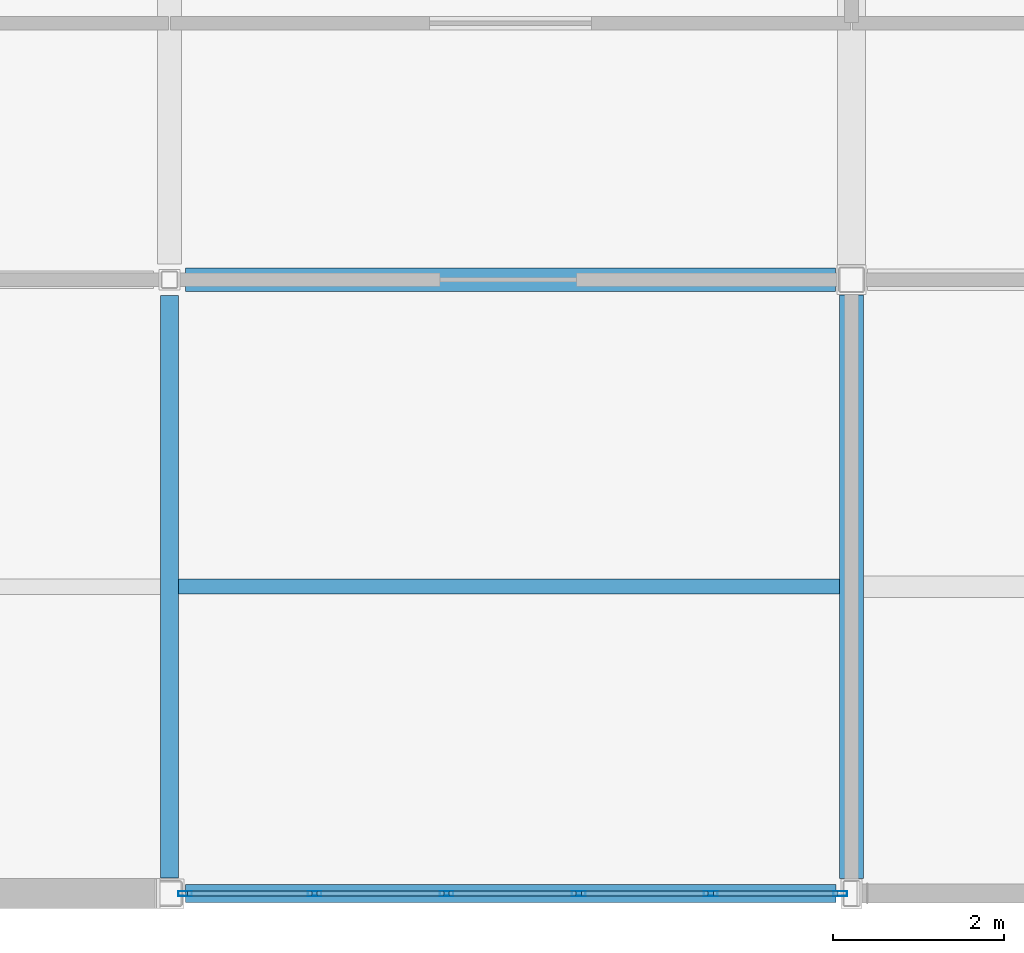
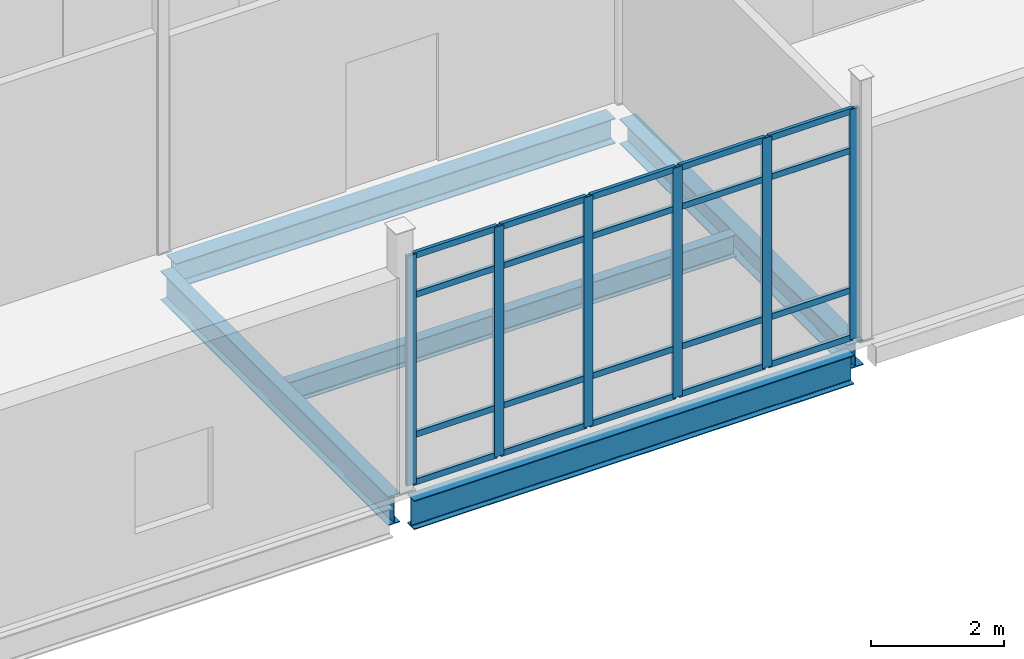
# One storey, part 53 of 186: 26 members, 5 beams, 1 element without a shape of its own.
"""IFC4 building model written with IfcOpenShell, lengths in metres."""

from ifc_helpers import new_model, si_unit, direction, frame, origin, origin_2d, place, context, subcontext, project, spatial, hollow_rectangle, i_section, extrude, material, layer, layer_set, material_profile, profile_set, type_object, element, aggregate, save


model = new_model("IFC4")

# Units and contexts
model_context = context("Model", 3, precision=1e-05, world=origin(), true_north=direction((0.0, 1.0)))
body_context = subcontext(model_context, "Body", "Model", "MODEL_VIEW")
ifc_project = project(units=[si_unit("LENGTHUNIT", "METRE"), si_unit("AREAUNIT", "SQUARE_METRE"), si_unit("VOLUMEUNIT", "CUBIC_METRE"), si_unit("PLANEANGLEUNIT", "RADIAN"), si_unit("MASSUNIT", "GRAM", prefix="KILO")], contexts=[model_context])

# Site, building, storey
site_placement = place(None, origin())
site = spatial("IfcSite", under=ifc_project, at=site_placement, CompositionType="ELEMENT")
building_placement = place(site_placement, origin())
building = spatial("IfcBuilding", under=site, at=building_placement, Name="Calvrana Isthmian Art Gallery", CompositionType="ELEMENT")
storey_placement = place(building_placement, frame((0.0, 0.0, 5.39990234375)))
storey = spatial("IfcBuildingStorey", under=building, at=storey_placement, Name="L01", CompositionType="ELEMENT", Elevation=5.39990234375)

# Beams
ifc_material_1 = material(Name="Steel ASTM A992 Gr 50", Category="steel")
ifc_material_profile_1 = material_profile(ifc_material_1, i_section(OverallWidth=0.279052734375, OverallDepth=0.4619140625, WebThickness=0.0107421875, FlangeThickness=0.017333984375, FilletRadius=0.02001953125, at=origin_2d()), Name="W18X76")
ifc_profile_set_1 = profile_set([ifc_material_profile_1], Name="Steel ASTM A992 Gr 50")
beam_type_1 = type_object("IfcBeamType", Name="BM-G-W18X76", PredefinedType="BEAM", material=ifc_profile_set_1)
beam_1_placement = place(storey_placement, frame((96.58642578125, 7.199951171875, -0.475830078125), z_axis=(1.0, 0.0, 0.0), x_axis=(0.0, 1.0, 0.0)))
element("IfcBeam", 1, at=beam_1_placement, inside=storey, type_object=beam_type_1, Name="Girder X L01 13-14/B", PredefinedType="BEAM", context=body_context, shape_type="SweptSolid", body=[
    extrude(i_section(OverallWidth=0.279052734375, OverallDepth=0.4619140625, WebThickness=0.0107421875, FlangeThickness=0.017333984375, FilletRadius=0.02001953125, at=origin_2d()), origin(), (0.0, 0.0, 1.0), 7.628173828125),
])
beam_2_placement = place(storey_placement, frame((104.39990234375, 0.177978515625, -0.475830078125), z_axis=(0.0, 1.0, 0.0), x_axis=(-1.0, 0.0, 0.0)))
element("IfcBeam", 2, at=beam_2_placement, inside=storey, type_object=beam_type_1, Name="Girder Y L01 14/A-B", PredefinedType="BEAM", context=body_context, shape_type="SweptSolid", body=[
    extrude(i_section(OverallWidth=0.279052734375, OverallDepth=0.4619140625, WebThickness=0.0107421875, FlangeThickness=0.017333984375, FilletRadius=0.02001953125, at=origin_2d()), origin(), (0.0, 0.0, 1.0), 6.840576171875),
])
ifc_material_profile_2 = material_profile(ifc_material_1, i_section(OverallWidth=0.208984375, OverallDepth=0.532958984375, WebThickness=0.01025390625, FlangeThickness=0.015625, FilletRadius=0.02099609375, at=origin_2d()), Name="W21X62")
ifc_profile_set_2 = profile_set([ifc_material_profile_2], Name="Steel ASTM A992 Gr 50")
beam_type_2 = type_object("IfcBeamType", Name="BM-G-W21X62", PredefinedType="BEAM", material=ifc_profile_set_2)
beam_3_placement = place(storey_placement, frame((96.58544921875, 0.0, -0.511474609375), z_axis=(1.0, 0.0, 0.0), x_axis=(0.0, 1.0, 0.0)))
element("IfcBeam", 3, at=beam_3_placement, inside=storey, type_object=beam_type_2, Name="Girder X L01 13-14/A", PredefinedType="BEAM", context=body_context, shape_type="SweptSolid", body=[
    extrude(i_section(OverallWidth=0.208984375, OverallDepth=0.532958984375, WebThickness=0.01025390625, FlangeThickness=0.015625, FilletRadius=0.02099609375, at=origin_2d()), origin(), (0.0, 0.0, 1.0), 7.630615234375),
])
beam_4_placement = place(storey_placement, frame((96.39990234375, 0.181396484375, -0.511474609375), z_axis=(0.0, 1.0, 0.0), x_axis=(-1.0, 0.0, 0.0)))
element("IfcBeam", 4, at=beam_4_placement, inside=storey, type_object=beam_type_2, Name="Girder Y L01 13/A-B", PredefinedType="BEAM", context=body_context, shape_type="SweptSolid", body=[
    extrude(i_section(OverallWidth=0.208984375, OverallDepth=0.532958984375, WebThickness=0.01025390625, FlangeThickness=0.015625, FilletRadius=0.02099609375, at=origin_2d()), origin(), (0.0, 0.0, 1.0), 6.834716796875),
])
ifc_material_profile_3 = material_profile(ifc_material_1, i_section(OverallWidth=0.177978515625, OverallDepth=0.404052734375, WebThickness=0.007568359375, FlangeThickness=0.010986328125, FilletRadius=0.01806640625, at=origin_2d()), Name="W16X36")
ifc_profile_set_3 = profile_set([ifc_material_profile_3], Name="Steel ASTM A992 Gr 50")
beam_type_3 = type_object("IfcBeamType", Name="BM-J-W16X36", PredefinedType="JOIST", material=ifc_profile_set_3)
beam_5_placement = place(storey_placement, frame((96.50439453125, 3.60009765625, -0.447021484375), z_axis=(1.0, 0.0, 0.0), x_axis=(0.0, 1.0, 0.0)))
element("IfcBeam", 5, at=beam_5_placement, inside=storey, type_object=beam_type_3, Name="Composite joist L01 bay 12-00", PredefinedType="JOIST", context=body_context, shape_type="SweptSolid", body=[
    extrude(i_section(OverallWidth=0.177978515625, OverallDepth=0.404052734375, WebThickness=0.007568359375, FlangeThickness=0.010986328125, FilletRadius=0.01806640625, at=origin_2d()), origin(), (0.0, 0.0, 1.0), 7.756103515625),
])

# Curtain wall, members
ifc_material_2 = material(Name="Anodized bronze aluminium 6063-T6", Category="aluminium")
ifc_layer = layer(ifc_material_2, 0.179931640625, Name="Anodized bronze aluminium 6063-T6")
ifc_layer_set = layer_set([ifc_layer], Name="Anodized bronze aluminium 6063-T6")
curtain_wall_type = type_object("IfcCurtainWallType", Name="CW-STICK-077X42", PredefinedType="NOTDEFINED", material=ifc_layer_set)
curtain_wall_placement = place(storey_placement, origin())
curtain_wall = element("IfcCurtainWall", 6, at=curtain_wall_placement, inside=storey, type_object=curtain_wall_type, Name="Curtain wall CW-085", PredefinedType="NOTDEFINED")
ifc_material_profile_4 = material_profile(ifc_material_2, hollow_rectangle(XDim=0.06005859375, YDim=0.159912109375, WallThickness=0.00390625, at=origin_2d()), Name="CWM60X160")
ifc_profile_set_4 = profile_set([ifc_material_profile_4], Name="Anodized bronze aluminium 6063-T6")
member_type_1 = type_object("IfcMemberType", Name="CWM-CWM60X160", PredefinedType="MULLION", material=ifc_profile_set_4)
member_1_placement = place(storey_placement, frame((104.268310546875, 0.0, 0.0), z_axis=(0.0, 0.0, 1.0), x_axis=(0.0, -1.0, 0.0)))
member_1 = element("IfcMember", 7, at=member_1_placement, type_object=member_type_1, Name="CW-085 mullion 1", PredefinedType="MULLION", context=body_context, shape_type="SweptSolid", body=[
    extrude(hollow_rectangle(XDim=0.06005859375, YDim=0.159912109375, WallThickness=0.00390625, at=origin_2d()), origin(), (0.0, 0.0, 1.0), 4.21533203125),
])
member_2_placement = place(storey_placement, frame((102.749267578125, 0.0, 0.0), z_axis=(0.0, 0.0, 1.0), x_axis=(0.0, -1.0, 0.0)))
member_2 = element("IfcMember", 8, at=member_2_placement, type_object=member_type_1, Name="CW-085 mullion 2", PredefinedType="MULLION", context=body_context, shape_type="SweptSolid", body=[
    extrude(hollow_rectangle(XDim=0.06005859375, YDim=0.159912109375, WallThickness=0.00390625, at=origin_2d()), origin(), (0.0, 0.0, 1.0), 4.21533203125),
])
member_3_placement = place(storey_placement, frame((101.199951171875, 0.0, 0.0), z_axis=(0.0, 0.0, 1.0), x_axis=(0.0, -1.0, 0.0)))
member_3 = element("IfcMember", 9, at=member_3_placement, type_object=member_type_1, Name="CW-085 mullion 3", PredefinedType="MULLION", context=body_context, shape_type="SweptSolid", body=[
    extrude(hollow_rectangle(XDim=0.06005859375, YDim=0.159912109375, WallThickness=0.00390625, at=origin_2d()), origin(), (0.0, 0.0, 1.0), 4.21533203125),
])
member_4_placement = place(storey_placement, frame((99.65087890625, 0.0, 0.0), z_axis=(0.0, 0.0, 1.0), x_axis=(0.0, -1.0, 0.0)))
member_4 = element("IfcMember", 10, at=member_4_placement, type_object=member_type_1, Name="CW-085 mullion 4", PredefinedType="MULLION", context=body_context, shape_type="SweptSolid", body=[
    extrude(hollow_rectangle(XDim=0.06005859375, YDim=0.159912109375, WallThickness=0.00390625, at=origin_2d()), origin(), (0.0, 0.0, 1.0), 4.21533203125),
])
member_5_placement = place(storey_placement, frame((98.1015625, 0.0, 0.0), z_axis=(0.0, 0.0, 1.0), x_axis=(0.0, -1.0, 0.0)))
member_5 = element("IfcMember", 11, at=member_5_placement, type_object=member_type_1, Name="CW-085 mullion 5", PredefinedType="MULLION", context=body_context, shape_type="SweptSolid", body=[
    extrude(hollow_rectangle(XDim=0.06005859375, YDim=0.159912109375, WallThickness=0.00390625, at=origin_2d()), origin(), (0.0, 0.0, 1.0), 4.21533203125),
])
member_6_placement = place(storey_placement, frame((96.58251953125, 0.0, 0.0), z_axis=(0.0, 0.0, 1.0), x_axis=(0.0, -1.0, 0.0)))
member_6 = element("IfcMember", 12, at=member_6_placement, type_object=member_type_1, Name="CW-085 mullion 6", PredefinedType="MULLION", context=body_context, shape_type="SweptSolid", body=[
    extrude(hollow_rectangle(XDim=0.06005859375, YDim=0.159912109375, WallThickness=0.00390625, at=origin_2d()), origin(), (0.0, 0.0, 1.0), 4.21533203125),
])
ifc_material_profile_5 = material_profile(ifc_material_2, hollow_rectangle(XDim=0.06005859375, YDim=0.110107421875, WallThickness=0.00341796875, at=origin_2d()), Name="CWT60X110")
ifc_profile_set_5 = profile_set([ifc_material_profile_5], Name="Anodized bronze aluminium 6063-T6")
member_type_2 = type_object("IfcMemberType", Name="CWT-CWT60X110", PredefinedType="USERDEFINED", material=ifc_profile_set_5)
member_7_placement = place(storey_placement, frame((104.23828125, 0.0, 0.030029296875), z_axis=(-1.0, 0.0, 0.0), x_axis=(0.0, -1.0, 0.0)))
member_7 = element("IfcMember", 13, at=member_7_placement, type_object=member_type_2, Name="CW-085 transom 1.1", ObjectType="TRANSOM", PredefinedType="USERDEFINED", context=body_context, shape_type="SweptSolid", body=[
    extrude(hollow_rectangle(XDim=0.06005859375, YDim=0.110107421875, WallThickness=0.00341796875, at=origin_2d()), origin(), (0.0, 0.0, 1.0), 1.458984375),
])
member_8_placement = place(storey_placement, frame((104.23828125, 0.0, 0.900146484375), z_axis=(-1.0, 0.0, 0.0), x_axis=(0.0, -1.0, 0.0)))
member_8 = element("IfcMember", 14, at=member_8_placement, type_object=member_type_2, Name="CW-085 transom 1.2", ObjectType="TRANSOM", PredefinedType="USERDEFINED", context=body_context, shape_type="SweptSolid", body=[
    extrude(hollow_rectangle(XDim=0.06005859375, YDim=0.110107421875, WallThickness=0.00341796875, at=origin_2d()), origin(), (0.0, 0.0, 1.0), 1.458984375),
])
member_9_placement = place(storey_placement, frame((104.23828125, 0.0, 3.46533203125), z_axis=(-1.0, 0.0, 0.0), x_axis=(0.0, -1.0, 0.0)))
member_9 = element("IfcMember", 15, at=member_9_placement, type_object=member_type_2, Name="CW-085 transom 1.3", ObjectType="TRANSOM", PredefinedType="USERDEFINED", context=body_context, shape_type="SweptSolid", body=[
    extrude(hollow_rectangle(XDim=0.06005859375, YDim=0.110107421875, WallThickness=0.00341796875, at=origin_2d()), origin(), (0.0, 0.0, 1.0), 1.458984375),
])
member_10_placement = place(storey_placement, frame((104.23828125, 0.0, 4.185302734375), z_axis=(-1.0, 0.0, 0.0), x_axis=(0.0, -1.0, 0.0)))
member_10 = element("IfcMember", 16, at=member_10_placement, type_object=member_type_2, Name="CW-085 transom 1.4", ObjectType="TRANSOM", PredefinedType="USERDEFINED", context=body_context, shape_type="SweptSolid", body=[
    extrude(hollow_rectangle(XDim=0.06005859375, YDim=0.110107421875, WallThickness=0.00341796875, at=origin_2d()), origin(), (0.0, 0.0, 1.0), 1.458984375),
])
member_11_placement = place(storey_placement, frame((102.71923828125, 0.0, 0.030029296875), z_axis=(-1.0, 0.0, 0.0), x_axis=(0.0, -1.0, 0.0)))
member_11 = element("IfcMember", 17, at=member_11_placement, type_object=member_type_2, Name="CW-085 transom 2.1", ObjectType="TRANSOM", PredefinedType="USERDEFINED", context=body_context, shape_type="SweptSolid", body=[
    extrude(hollow_rectangle(XDim=0.06005859375, YDim=0.110107421875, WallThickness=0.00341796875, at=origin_2d()), origin(), (0.0, 0.0, 1.0), 1.4892578125),
])
member_12_placement = place(storey_placement, frame((102.71923828125, 0.0, 0.900146484375), z_axis=(-1.0, 0.0, 0.0), x_axis=(0.0, -1.0, 0.0)))
member_12 = element("IfcMember", 18, at=member_12_placement, type_object=member_type_2, Name="CW-085 transom 2.2", ObjectType="TRANSOM", PredefinedType="USERDEFINED", context=body_context, shape_type="SweptSolid", body=[
    extrude(hollow_rectangle(XDim=0.06005859375, YDim=0.110107421875, WallThickness=0.00341796875, at=origin_2d()), origin(), (0.0, 0.0, 1.0), 1.4892578125),
])
member_13_placement = place(storey_placement, frame((102.71923828125, 0.0, 3.46533203125), z_axis=(-1.0, 0.0, 0.0), x_axis=(0.0, -1.0, 0.0)))
member_13 = element("IfcMember", 19, at=member_13_placement, type_object=member_type_2, Name="CW-085 transom 2.3", ObjectType="TRANSOM", PredefinedType="USERDEFINED", context=body_context, shape_type="SweptSolid", body=[
    extrude(hollow_rectangle(XDim=0.06005859375, YDim=0.110107421875, WallThickness=0.00341796875, at=origin_2d()), origin(), (0.0, 0.0, 1.0), 1.4892578125),
])
member_14_placement = place(storey_placement, frame((102.71923828125, 0.0, 4.185302734375), z_axis=(-1.0, 0.0, 0.0), x_axis=(0.0, -1.0, 0.0)))
member_14 = element("IfcMember", 20, at=member_14_placement, type_object=member_type_2, Name="CW-085 transom 2.4", ObjectType="TRANSOM", PredefinedType="USERDEFINED", context=body_context, shape_type="SweptSolid", body=[
    extrude(hollow_rectangle(XDim=0.06005859375, YDim=0.110107421875, WallThickness=0.00341796875, at=origin_2d()), origin(), (0.0, 0.0, 1.0), 1.4892578125),
])
member_15_placement = place(storey_placement, frame((101.169921875, 0.0, 0.030029296875), z_axis=(-1.0, 0.0, 0.0), x_axis=(0.0, -1.0, 0.0)))
member_15 = element("IfcMember", 21, at=member_15_placement, type_object=member_type_2, Name="CW-085 transom 3.1", ObjectType="TRANSOM", PredefinedType="USERDEFINED", context=body_context, shape_type="SweptSolid", body=[
    extrude(hollow_rectangle(XDim=0.06005859375, YDim=0.110107421875, WallThickness=0.00341796875, at=origin_2d()), origin(), (0.0, 0.0, 1.0), 1.489013671875),
])
member_16_placement = place(storey_placement, frame((101.169921875, 0.0, 0.900146484375), z_axis=(-1.0, 0.0, 0.0), x_axis=(0.0, -1.0, 0.0)))
member_16 = element("IfcMember", 22, at=member_16_placement, type_object=member_type_2, Name="CW-085 transom 3.2", ObjectType="TRANSOM", PredefinedType="USERDEFINED", context=body_context, shape_type="SweptSolid", body=[
    extrude(hollow_rectangle(XDim=0.06005859375, YDim=0.110107421875, WallThickness=0.00341796875, at=origin_2d()), origin(), (0.0, 0.0, 1.0), 1.489013671875),
])
member_17_placement = place(storey_placement, frame((101.169921875, 0.0, 3.46533203125), z_axis=(-1.0, 0.0, 0.0), x_axis=(0.0, -1.0, 0.0)))
member_17 = element("IfcMember", 23, at=member_17_placement, type_object=member_type_2, Name="CW-085 transom 3.3", ObjectType="TRANSOM", PredefinedType="USERDEFINED", context=body_context, shape_type="SweptSolid", body=[
    extrude(hollow_rectangle(XDim=0.06005859375, YDim=0.110107421875, WallThickness=0.00341796875, at=origin_2d()), origin(), (0.0, 0.0, 1.0), 1.489013671875),
])
member_18_placement = place(storey_placement, frame((101.169921875, 0.0, 4.185302734375), z_axis=(-1.0, 0.0, 0.0), x_axis=(0.0, -1.0, 0.0)))
member_18 = element("IfcMember", 24, at=member_18_placement, type_object=member_type_2, Name="CW-085 transom 3.4", ObjectType="TRANSOM", PredefinedType="USERDEFINED", context=body_context, shape_type="SweptSolid", body=[
    extrude(hollow_rectangle(XDim=0.06005859375, YDim=0.110107421875, WallThickness=0.00341796875, at=origin_2d()), origin(), (0.0, 0.0, 1.0), 1.489013671875),
])
member_19_placement = place(storey_placement, frame((99.620849609375, 0.0, 0.030029296875), z_axis=(-1.0, 0.0, 0.0), x_axis=(0.0, -1.0, 0.0)))
member_19 = element("IfcMember", 25, at=member_19_placement, type_object=member_type_2, Name="CW-085 transom 4.1", ObjectType="TRANSOM", PredefinedType="USERDEFINED", context=body_context, shape_type="SweptSolid", body=[
    extrude(hollow_rectangle(XDim=0.06005859375, YDim=0.110107421875, WallThickness=0.00341796875, at=origin_2d()), origin(), (0.0, 0.0, 1.0), 1.4892578125),
])
member_20_placement = place(storey_placement, frame((99.620849609375, 0.0, 0.900146484375), z_axis=(-1.0, 0.0, 0.0), x_axis=(0.0, -1.0, 0.0)))
member_20 = element("IfcMember", 26, at=member_20_placement, type_object=member_type_2, Name="CW-085 transom 4.2", ObjectType="TRANSOM", PredefinedType="USERDEFINED", context=body_context, shape_type="SweptSolid", body=[
    extrude(hollow_rectangle(XDim=0.06005859375, YDim=0.110107421875, WallThickness=0.00341796875, at=origin_2d()), origin(), (0.0, 0.0, 1.0), 1.4892578125),
])
member_21_placement = place(storey_placement, frame((99.620849609375, 0.0, 3.46533203125), z_axis=(-1.0, 0.0, 0.0), x_axis=(0.0, -1.0, 0.0)))
member_21 = element("IfcMember", 27, at=member_21_placement, type_object=member_type_2, Name="CW-085 transom 4.3", ObjectType="TRANSOM", PredefinedType="USERDEFINED", context=body_context, shape_type="SweptSolid", body=[
    extrude(hollow_rectangle(XDim=0.06005859375, YDim=0.110107421875, WallThickness=0.00341796875, at=origin_2d()), origin(), (0.0, 0.0, 1.0), 1.4892578125),
])
member_22_placement = place(storey_placement, frame((99.620849609375, 0.0, 4.185302734375), z_axis=(-1.0, 0.0, 0.0), x_axis=(0.0, -1.0, 0.0)))
member_22 = element("IfcMember", 28, at=member_22_placement, type_object=member_type_2, Name="CW-085 transom 4.4", ObjectType="TRANSOM", PredefinedType="USERDEFINED", context=body_context, shape_type="SweptSolid", body=[
    extrude(hollow_rectangle(XDim=0.06005859375, YDim=0.110107421875, WallThickness=0.00341796875, at=origin_2d()), origin(), (0.0, 0.0, 1.0), 1.4892578125),
])
member_23_placement = place(storey_placement, frame((98.071533203125, 0.0, 0.030029296875), z_axis=(-1.0, 0.0, 0.0), x_axis=(0.0, -1.0, 0.0)))
member_23 = element("IfcMember", 29, at=member_23_placement, type_object=member_type_2, Name="CW-085 transom 5.1", ObjectType="TRANSOM", PredefinedType="USERDEFINED", context=body_context, shape_type="SweptSolid", body=[
    extrude(hollow_rectangle(XDim=0.06005859375, YDim=0.110107421875, WallThickness=0.00341796875, at=origin_2d()), origin(), (0.0, 0.0, 1.0), 1.459228515625),
])
member_24_placement = place(storey_placement, frame((98.071533203125, 0.0, 0.900146484375), z_axis=(-1.0, 0.0, 0.0), x_axis=(0.0, -1.0, 0.0)))
member_24 = element("IfcMember", 30, at=member_24_placement, type_object=member_type_2, Name="CW-085 transom 5.2", ObjectType="TRANSOM", PredefinedType="USERDEFINED", context=body_context, shape_type="SweptSolid", body=[
    extrude(hollow_rectangle(XDim=0.06005859375, YDim=0.110107421875, WallThickness=0.00341796875, at=origin_2d()), origin(), (0.0, 0.0, 1.0), 1.459228515625),
])
member_25_placement = place(storey_placement, frame((98.071533203125, 0.0, 3.46533203125), z_axis=(-1.0, 0.0, 0.0), x_axis=(0.0, -1.0, 0.0)))
member_25 = element("IfcMember", 31, at=member_25_placement, type_object=member_type_2, Name="CW-085 transom 5.3", ObjectType="TRANSOM", PredefinedType="USERDEFINED", context=body_context, shape_type="SweptSolid", body=[
    extrude(hollow_rectangle(XDim=0.06005859375, YDim=0.110107421875, WallThickness=0.00341796875, at=origin_2d()), origin(), (0.0, 0.0, 1.0), 1.459228515625),
])
member_26_placement = place(storey_placement, frame((98.071533203125, 0.0, 4.185302734375), z_axis=(-1.0, 0.0, 0.0), x_axis=(0.0, -1.0, 0.0)))
member_26 = element("IfcMember", 32, at=member_26_placement, type_object=member_type_2, Name="CW-085 transom 5.4", ObjectType="TRANSOM", PredefinedType="USERDEFINED", context=body_context, shape_type="SweptSolid", body=[
    extrude(hollow_rectangle(XDim=0.06005859375, YDim=0.110107421875, WallThickness=0.00341796875, at=origin_2d()), origin(), (0.0, 0.0, 1.0), 1.459228515625),
])
aggregate(curtain_wall, [member_1, member_2, member_3, member_4, member_5, member_6, member_7, member_8, member_9, member_10, member_11, member_12, member_13, member_14, member_15, member_16, member_17, member_18, member_19, member_20, member_21, member_22, member_23, member_24, member_25, member_26])

save(model, "model.ifc")
